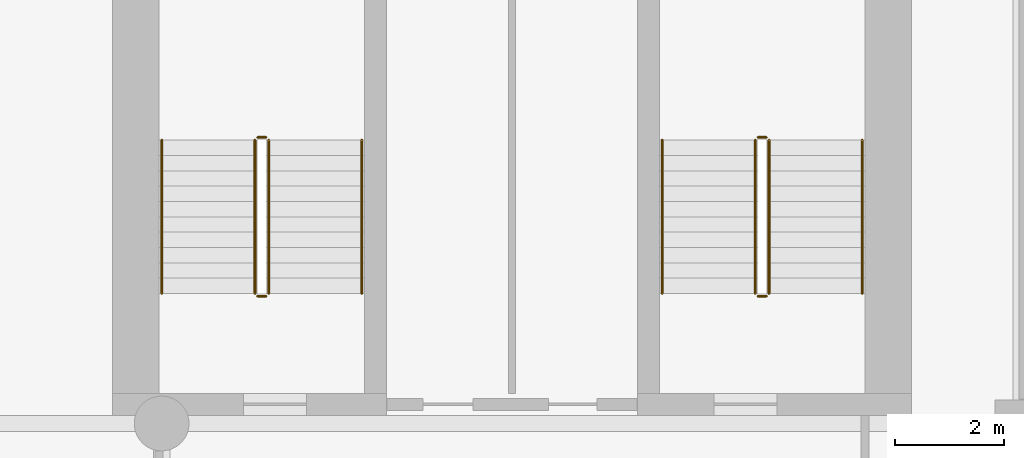
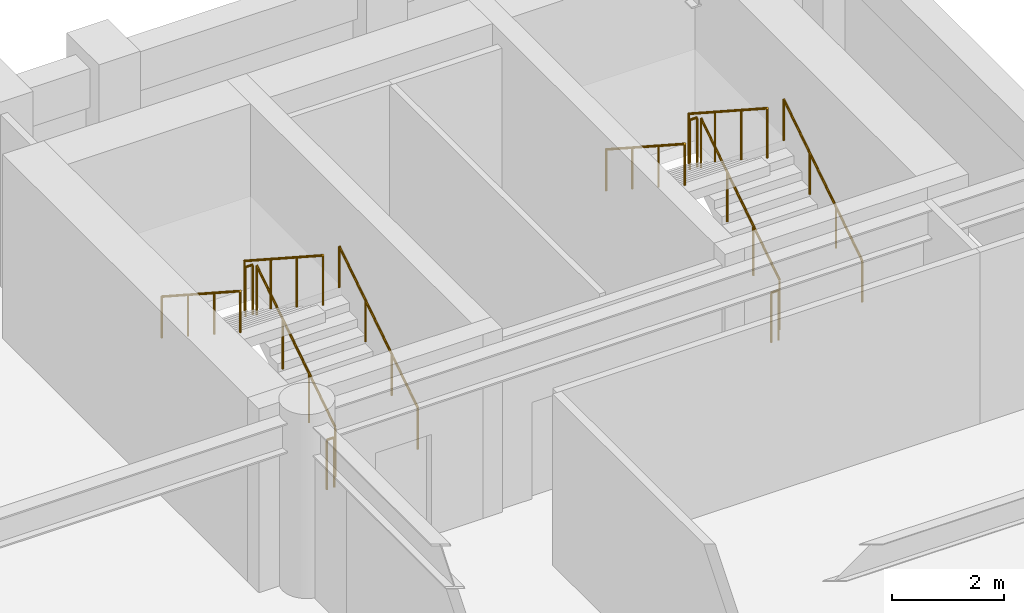
# One storey, part 8 of 8: 12 railings.
"""IFC4 building model written with IfcOpenShell, lengths in metres."""

from ifc_helpers import new_model, si_unit, direction, frame, origin, origin_2d, place, context, subcontext, project, spatial, circle, extrude, material, type_object, element, save


model = new_model("IFC4")

# Units and contexts
model_context = context("Model", 3, precision=1e-05, world=origin(), true_north=direction((0.0, 1.0)))
body_context = subcontext(model_context, "Body", "Model", "MODEL_VIEW")
ifc_project = project(units=[si_unit("LENGTHUNIT", "METRE"), si_unit("AREAUNIT", "SQUARE_METRE"), si_unit("VOLUMEUNIT", "CUBIC_METRE"), si_unit("PLANEANGLEUNIT", "RADIAN"), si_unit("MASSUNIT", "GRAM", prefix="KILO")], contexts=[model_context])

# Site, building, storey
site_placement = place(None, origin())
site = spatial("IfcSite", under=ifc_project, at=site_placement, CompositionType="ELEMENT")
building_placement = place(site_placement, origin())
building = spatial("IfcBuilding", under=site, at=building_placement, Name="Sulina Concourse Tower", CompositionType="ELEMENT")
storey_placement = place(building_placement, frame((0.0, 0.0, 112.60009765625)))
storey = spatial("IfcBuildingStorey", under=building, at=storey_placement, Name="L27", CompositionType="ELEMENT", Elevation=112.60009765625)

# Railings
ifc_material_1 = material(Name="Galvanised steel railing", Category="steel")
railing_type_1 = type_object("IfcRailingType", Name="Core Stair Steel Guardrail 1150mm", PredefinedType="GUARDRAIL", material=ifc_material_1)
railing_1_placement = place(storey_placement, frame((43.554931640625, 36.375, 0.181640625)))
element("IfcRailing", 1, at=railing_1_placement, inside=storey, type_object=railing_type_1, Name="L27 ST-3 stair guard 1", PredefinedType="GUARDRAIL", context=body_context, shape_type="SweptSolid", body=[
    extrude(circle(Radius=0.02392578125, at=origin_2d()), frame((0.0, 0.0, 1.076171875), z_axis=(0.0, 0.838672427954, 0.544636170843), x_axis=(-1.0, 0.0, 0.0)), (0.0, 0.0, 1.0), 3.338623046875),
    extrude(circle(Radius=0.02099609375, at=origin_2d()), origin(), (0.0, 0.0, 1.0), 1.052001953125),
    extrude(circle(Radius=0.02099609375, at=origin_2d()), frame((0.0, 0.933349609375, 0.606201171875)), (0.0, 0.0, 1.0), 1.052001953125),
    extrude(circle(Radius=0.02099609375, at=origin_2d()), frame((0.0, 1.86669921875, 1.212158203125)), (0.0, 0.0, 1.0), 1.052001953125),
    extrude(circle(Radius=0.02099609375, at=origin_2d()), frame((0.0, 2.800048828125, 1.818359375)), (0.0, 0.0, 1.0), 1.052001953125),
])
railing_2_placement = place(storey_placement, frame((43.5048828125, 39.22509765625, 2.0)))
element("IfcRailing", 2, at=railing_2_placement, inside=storey, type_object=railing_type_1, Name="L27 ST-3 stair guard 2", PredefinedType="GUARDRAIL", context=body_context, shape_type="SweptSolid", body=[
    extrude(circle(Radius=0.02392578125, at=origin_2d()), frame((0.0, 0.0, 1.076171875), z_axis=(-1.0, 0.0, 0.0), x_axis=(0.0, -1.0, 0.0)), (0.0, 0.0, 1.0), 0.14990234375),
    extrude(circle(Radius=0.02099609375, at=origin_2d()), origin(), (0.0, 0.0, 1.0), 1.052001953125),
    extrude(circle(Radius=0.02099609375, at=origin_2d()), frame((-0.14990234375, 0.0, 0.0)), (0.0, 0.0, 1.0), 1.052001953125),
])
railing_3_placement = place(storey_placement, frame((43.304931640625, 39.175048828125, 2.181640625)))
element("IfcRailing", 3, at=railing_3_placement, inside=storey, type_object=railing_type_1, Name="L27 ST-3 stair guard 3", PredefinedType="GUARDRAIL", context=body_context, shape_type="SweptSolid", body=[
    extrude(circle(Radius=0.02392578125, at=origin_2d()), frame((0.0, 0.0, 1.076171875), z_axis=(0.0, -0.838672427954, 0.544636170843), x_axis=(1.0, 0.0, 0.0)), (0.0, 0.0, 1.0), 3.338623046875),
    extrude(circle(Radius=0.02099609375, at=origin_2d()), origin(), (0.0, 0.0, 1.0), 1.052001953125),
    extrude(circle(Radius=0.02099609375, at=origin_2d()), frame((0.0, -0.933349609375, 0.606201171875)), (0.0, 0.0, 1.0), 1.052001953125),
    extrude(circle(Radius=0.02099609375, at=origin_2d()), frame((0.0, -1.86669921875, 1.212158203125)), (0.0, 0.0, 1.0), 1.052001953125),
    extrude(circle(Radius=0.02099609375, at=origin_2d()), frame((0.0, -2.800048828125, 1.818359375)), (0.0, 0.0, 1.0), 1.052001953125),
])
railing_4_placement = place(storey_placement, frame((43.5048828125, 36.324951171875, 0.0)))
element("IfcRailing", 4, at=railing_4_placement, inside=storey, type_object=railing_type_1, Name="L27 ST-3 stair guard 4", PredefinedType="GUARDRAIL", context=body_context, shape_type="SweptSolid", body=[
    extrude(circle(Radius=0.02392578125, at=origin_2d()), frame((0.0, 0.0, 1.076171875), z_axis=(-1.0, 0.0, 0.0), x_axis=(0.0, -1.0, 0.0)), (0.0, 0.0, 1.0), 0.14990234375),
    extrude(circle(Radius=0.02099609375, at=origin_2d()), origin(), (0.0, 0.0, 1.0), 1.052001953125),
    extrude(circle(Radius=0.02099609375, at=origin_2d()), frame((-0.14990234375, 0.0, 0.0)), (0.0, 0.0, 1.0), 1.052001953125),
])
railing_5_placement = place(storey_placement, frame((52.695068359375, 36.375, 0.181640625)))
element("IfcRailing", 5, at=railing_5_placement, inside=storey, type_object=railing_type_1, Name="L27 ST-4 stair guard 1", PredefinedType="GUARDRAIL", context=body_context, shape_type="SweptSolid", body=[
    extrude(circle(Radius=0.02392578125, at=origin_2d()), frame((0.0, 0.0, 1.076171875), z_axis=(0.0, 0.838672427954, 0.544636170843), x_axis=(-1.0, 0.0, 0.0)), (0.0, 0.0, 1.0), 3.338623046875),
    extrude(circle(Radius=0.02099609375, at=origin_2d()), origin(), (0.0, 0.0, 1.0), 1.052001953125),
    extrude(circle(Radius=0.02099609375, at=origin_2d()), frame((0.0, 0.933349609375, 0.606201171875)), (0.0, 0.0, 1.0), 1.052001953125),
    extrude(circle(Radius=0.02099609375, at=origin_2d()), frame((0.0, 1.86669921875, 1.212158203125)), (0.0, 0.0, 1.0), 1.052001953125),
    extrude(circle(Radius=0.02099609375, at=origin_2d()), frame((0.0, 2.800048828125, 1.818359375)), (0.0, 0.0, 1.0), 1.052001953125),
])
railing_6_placement = place(storey_placement, frame((52.64501953125, 39.22509765625, 2.0)))
element("IfcRailing", 6, at=railing_6_placement, inside=storey, type_object=railing_type_1, Name="L27 ST-4 stair guard 2", PredefinedType="GUARDRAIL", context=body_context, shape_type="SweptSolid", body=[
    extrude(circle(Radius=0.02392578125, at=origin_2d()), frame((0.0, 0.0, 1.076171875), z_axis=(-1.0, 0.0, 0.0), x_axis=(0.0, -1.0, 0.0)), (0.0, 0.0, 1.0), 0.14990234375),
    extrude(circle(Radius=0.02099609375, at=origin_2d()), origin(), (0.0, 0.0, 1.0), 1.052001953125),
    extrude(circle(Radius=0.02099609375, at=origin_2d()), frame((-0.14990234375, 0.0, 0.0)), (0.0, 0.0, 1.0), 1.052001953125),
])
railing_7_placement = place(storey_placement, frame((52.445068359375, 39.175048828125, 2.181640625)))
element("IfcRailing", 7, at=railing_7_placement, inside=storey, type_object=railing_type_1, Name="L27 ST-4 stair guard 3", PredefinedType="GUARDRAIL", context=body_context, shape_type="SweptSolid", body=[
    extrude(circle(Radius=0.02392578125, at=origin_2d()), frame((0.0, 0.0, 1.076171875), z_axis=(0.0, -0.838672427954, 0.544636170843), x_axis=(1.0, 0.0, 0.0)), (0.0, 0.0, 1.0), 3.338623046875),
    extrude(circle(Radius=0.02099609375, at=origin_2d()), origin(), (0.0, 0.0, 1.0), 1.052001953125),
    extrude(circle(Radius=0.02099609375, at=origin_2d()), frame((0.0, -0.933349609375, 0.606201171875)), (0.0, 0.0, 1.0), 1.052001953125),
    extrude(circle(Radius=0.02099609375, at=origin_2d()), frame((0.0, -1.86669921875, 1.212158203125)), (0.0, 0.0, 1.0), 1.052001953125),
    extrude(circle(Radius=0.02099609375, at=origin_2d()), frame((0.0, -2.800048828125, 1.818359375)), (0.0, 0.0, 1.0), 1.052001953125),
])
railing_8_placement = place(storey_placement, frame((52.64501953125, 36.324951171875, 0.0)))
element("IfcRailing", 8, at=railing_8_placement, inside=storey, type_object=railing_type_1, Name="L27 ST-4 stair guard 4", PredefinedType="GUARDRAIL", context=body_context, shape_type="SweptSolid", body=[
    extrude(circle(Radius=0.02392578125, at=origin_2d()), frame((0.0, 0.0, 1.076171875), z_axis=(-1.0, 0.0, 0.0), x_axis=(0.0, -1.0, 0.0)), (0.0, 0.0, 1.0), 0.14990234375),
    extrude(circle(Radius=0.02099609375, at=origin_2d()), origin(), (0.0, 0.0, 1.0), 1.052001953125),
    extrude(circle(Radius=0.02099609375, at=origin_2d()), frame((-0.14990234375, 0.0, 0.0)), (0.0, 0.0, 1.0), 1.052001953125),
])
ifc_material_2 = material(Name="Galvanised steel railing", Category="steel")
railing_type_2 = type_object("IfcRailingType", Name="Stair Wall Steel Handrail 920mm", PredefinedType="HANDRAIL", material=ifc_material_2)
railing_9_placement = place(storey_placement, frame((45.2548828125, 36.375, 0.181640625)))
element("IfcRailing", 9, at=railing_9_placement, inside=storey, type_object=railing_type_2, Name="L27 ST-3 stair handrail 1", PredefinedType="HANDRAIL", context=body_context, shape_type="SweptSolid", body=[
    extrude(circle(Radius=0.02392578125, at=origin_2d()), frame((0.0, 0.0, 0.89599609375), z_axis=(0.0, 0.838672427954, 0.544636170843), x_axis=(-1.0, 0.0, 0.0)), (0.0, 0.0, 1.0), 3.338623046875),
    extrude(circle(Radius=0.02099609375, at=origin_2d()), origin(), (0.0, 0.0, 1.0), 0.871826171875),
    extrude(circle(Radius=0.02099609375, at=origin_2d()), frame((0.0, 0.933349609375, 0.606201171875)), (0.0, 0.0, 1.0), 0.871826171875),
    extrude(circle(Radius=0.02099609375, at=origin_2d()), frame((0.0, 1.86669921875, 1.212158203125)), (0.0, 0.0, 1.0), 0.871826171875),
    extrude(circle(Radius=0.02099609375, at=origin_2d()), frame((0.0, 2.800048828125, 1.818359375)), (0.0, 0.0, 1.0), 0.871826171875),
])
railing_10_placement = place(storey_placement, frame((41.60498046875, 39.175048828125, 2.181640625)))
element("IfcRailing", 10, at=railing_10_placement, inside=storey, type_object=railing_type_2, Name="L27 ST-3 stair handrail 2", PredefinedType="HANDRAIL", context=body_context, shape_type="SweptSolid", body=[
    extrude(circle(Radius=0.02392578125, at=origin_2d()), frame((0.0, 0.0, 0.89599609375), z_axis=(0.0, -0.838672427954, 0.544636170843), x_axis=(1.0, 0.0, 0.0)), (0.0, 0.0, 1.0), 3.338623046875),
    extrude(circle(Radius=0.02099609375, at=origin_2d()), origin(), (0.0, 0.0, 1.0), 0.871826171875),
    extrude(circle(Radius=0.02099609375, at=origin_2d()), frame((0.0, -0.933349609375, 0.606201171875)), (0.0, 0.0, 1.0), 0.871826171875),
    extrude(circle(Radius=0.02099609375, at=origin_2d()), frame((0.0, -1.86669921875, 1.212158203125)), (0.0, 0.0, 1.0), 0.871826171875),
    extrude(circle(Radius=0.02099609375, at=origin_2d()), frame((0.0, -2.800048828125, 1.818359375)), (0.0, 0.0, 1.0), 0.871826171875),
])
railing_11_placement = place(storey_placement, frame((54.39501953125, 36.375, 0.181640625)))
element("IfcRailing", 11, at=railing_11_placement, inside=storey, type_object=railing_type_2, Name="L27 ST-4 stair handrail 1", PredefinedType="HANDRAIL", context=body_context, shape_type="SweptSolid", body=[
    extrude(circle(Radius=0.02392578125, at=origin_2d()), frame((0.0, 0.0, 0.89599609375), z_axis=(0.0, 0.838672427954, 0.544636170843), x_axis=(-1.0, 0.0, 0.0)), (0.0, 0.0, 1.0), 3.338623046875),
    extrude(circle(Radius=0.02099609375, at=origin_2d()), origin(), (0.0, 0.0, 1.0), 0.871826171875),
    extrude(circle(Radius=0.02099609375, at=origin_2d()), frame((0.0, 0.933349609375, 0.606201171875)), (0.0, 0.0, 1.0), 0.871826171875),
    extrude(circle(Radius=0.02099609375, at=origin_2d()), frame((0.0, 1.86669921875, 1.212158203125)), (0.0, 0.0, 1.0), 0.871826171875),
    extrude(circle(Radius=0.02099609375, at=origin_2d()), frame((0.0, 2.800048828125, 1.818359375)), (0.0, 0.0, 1.0), 0.871826171875),
])
railing_12_placement = place(storey_placement, frame((50.7451171875, 39.175048828125, 2.181640625)))
element("IfcRailing", 12, at=railing_12_placement, inside=storey, type_object=railing_type_2, Name="L27 ST-4 stair handrail 2", PredefinedType="HANDRAIL", context=body_context, shape_type="SweptSolid", body=[
    extrude(circle(Radius=0.02392578125, at=origin_2d()), frame((0.0, 0.0, 0.89599609375), z_axis=(0.0, -0.838672427954, 0.544636170843), x_axis=(1.0, 0.0, 0.0)), (0.0, 0.0, 1.0), 3.338623046875),
    extrude(circle(Radius=0.02099609375, at=origin_2d()), origin(), (0.0, 0.0, 1.0), 0.871826171875),
    extrude(circle(Radius=0.02099609375, at=origin_2d()), frame((0.0, -0.933349609375, 0.606201171875)), (0.0, 0.0, 1.0), 0.871826171875),
    extrude(circle(Radius=0.02099609375, at=origin_2d()), frame((0.0, -1.86669921875, 1.212158203125)), (0.0, 0.0, 1.0), 0.871826171875),
    extrude(circle(Radius=0.02099609375, at=origin_2d()), frame((0.0, -2.800048828125, 1.818359375)), (0.0, 0.0, 1.0), 0.871826171875),
])

save(model, "model.ifc")
